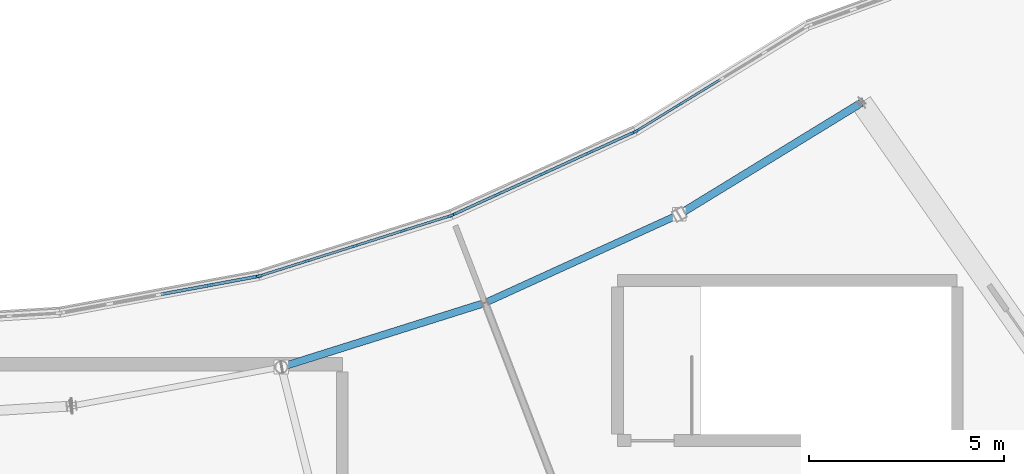
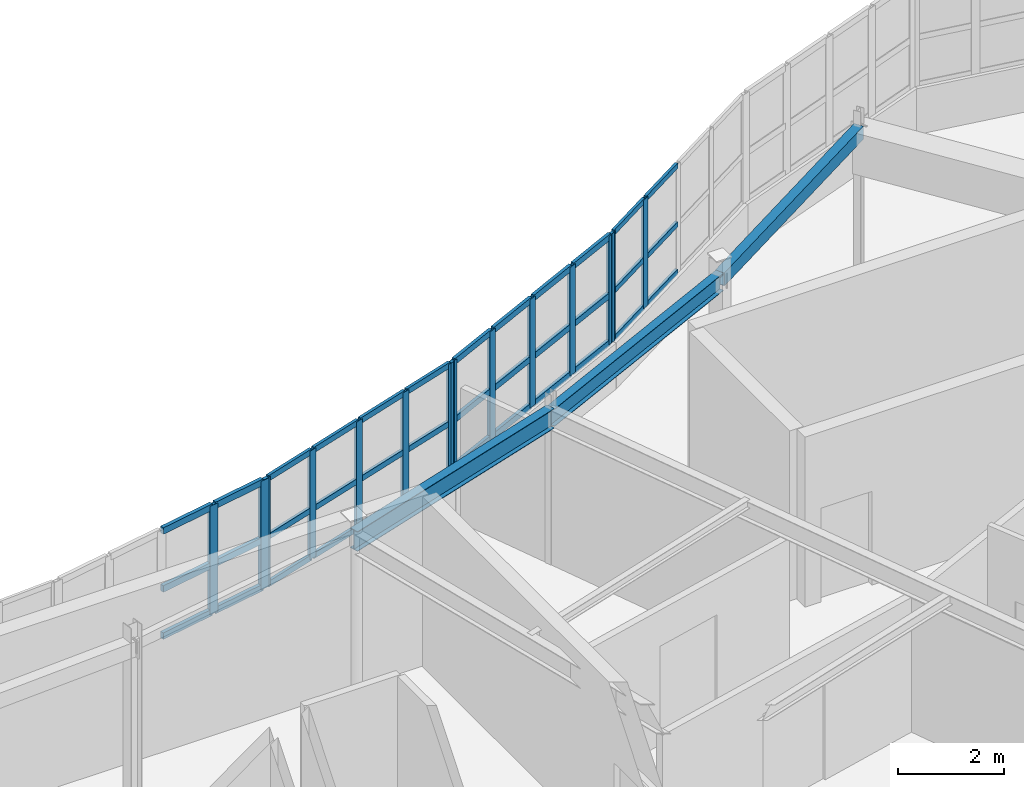
# One storey, part 27 of 79: 50 members, 3 beams, 4 elements without a shape of their own.
"""IFC4 building model written with IfcOpenShell, lengths in metres."""

from ifc_helpers import new_model, si_unit, direction, frame, origin, origin_2d, place, context, subcontext, project, spatial, rectangle, hollow_rectangle, i_section, extrude, material, layer, layer_set, material_profile, profile_set, type_object, element, aggregate, save


model = new_model("IFC4")

# Units and contexts
model_context = context("Model", 3, precision=1e-05, world=origin(), true_north=direction((0.0, 1.0)))
body_context = subcontext(model_context, "Body", "Model", "MODEL_VIEW")
ifc_project = project(units=[si_unit("LENGTHUNIT", "METRE"), si_unit("AREAUNIT", "SQUARE_METRE"), si_unit("VOLUMEUNIT", "CUBIC_METRE"), si_unit("PLANEANGLEUNIT", "RADIAN"), si_unit("MASSUNIT", "GRAM", prefix="KILO")], contexts=[model_context])

# Site, building, storey
site_placement = place(None, origin())
site = spatial("IfcSite", under=ifc_project, at=site_placement, CompositionType="ELEMENT")
building_placement = place(site_placement, origin())
building = spatial("IfcBuilding", under=site, at=building_placement, Name="Tarnwether General Hospital", CompositionType="ELEMENT")
storey_placement = place(building_placement, frame((0.0, 0.0, 18.300048828125)))
storey = spatial("IfcBuildingStorey", under=building, at=storey_placement, Name="L04", CompositionType="ELEMENT", Elevation=18.300048828125)

# Beams
ifc_material_1 = material(Name="Steel Grade 350 (350 MPa)", Category="steel")
ifc_material_profile_1 = material_profile(ifc_material_1, i_section(OverallWidth=0.18994140625, OverallDepth=0.4541015625, WebThickness=0.008544921875, FlangeThickness=0.0126953125, at=origin_2d()), Name="460UB67.1")
ifc_profile_set_1 = profile_set([ifc_material_profile_1], Name="Steel Grade 350 (350 MPa)")
beam_type_1 = type_object("IfcBeamType", Name="BM-SP1", PredefinedType="SPANDREL", material=ifc_profile_set_1)
beam_1_placement = place(storey_placement, frame((102.837890625, 19.531005859375, 3.3330078125), z_axis=(0.953712084488, 0.300721232874, 0.0), x_axis=(-0.300721232874, 0.953712084488, 0.0)))
element("IfcBeam", 1, at=beam_1_placement, inside=storey, type_object=beam_type_1, Name="Curved Ward SE Inner Spandrel BMG-L04-10284_1953-10806_2118-2157", PredefinedType="SPANDREL", context=body_context, shape_type="SweptSolid", body=[
    extrude(i_section(OverallWidth=0.18994140625, OverallDepth=0.4541015625, WebThickness=0.008544921875, FlangeThickness=0.0126953125, at=origin_2d()), origin(), (0.0, 0.0, 1.0), 5.47021484375),
])
ifc_material_2 = material(Name="Steel Grade 350 (350 MPa)", Category="steel")
ifc_material_profile_2 = material_profile(ifc_material_2, i_section(OverallWidth=0.177978515625, OverallDepth=0.403076171875, WebThickness=0.007568359375, FlangeThickness=0.010986328125, at=origin_2d()), Name="410UB53.7")
ifc_profile_set_2 = profile_set([ifc_material_profile_2], Name="Steel Grade 350 (350 MPa)")
beam_type_2 = type_object("IfcBeamType", Name="BM-SP2", PredefinedType="SPANDREL", material=ifc_profile_set_2)
beam_2_placement = place(storey_placement, frame((108.054931640625, 21.176025390625, 3.33837890625), z_axis=(0.909968605358, 0.414677148228, 0.0), x_axis=(-0.414677148228, 0.909968605358, 0.0)))
element("IfcBeam", 2, at=beam_2_placement, inside=storey, type_object=beam_type_2, Name="Curved Ward SE Inner Spandrel BMG-L04-10806_2118-11303_2344-2161", PredefinedType="SPANDREL", context=body_context, shape_type="SweptSolid", body=[
    extrude(i_section(OverallWidth=0.177978515625, OverallDepth=0.403076171875, WebThickness=0.007568359375, FlangeThickness=0.010986328125, at=origin_2d()), origin(), (0.0, 0.0, 1.0), 5.469482421875),
])
ifc_material_3 = material(Name="Steel Grade C350L0 (350 MPa)", Category="steel")
ifc_material_profile_3 = material_profile(ifc_material_3, hollow_rectangle(XDim=0.199951171875, YDim=0.300048828125, WallThickness=0.012451171875, at=origin_2d()), Name="RHS300x200x12.5")
ifc_profile_set_3 = profile_set([ifc_material_profile_3], Name="Steel Grade C350L0 (350 MPa)")
beam_type_3 = type_object("IfcBeamType", Name="BM-SP3", PredefinedType="SPANDREL", material=ifc_profile_set_3)
beam_3_placement = place(storey_placement, frame((113.031982421875, 23.444091796875, 3.389892578125), z_axis=(0.85265897909, 0.522467860617, 0.0), x_axis=(-0.522467860617, 0.85265897909, 0.0)))
element("IfcBeam", 3, at=beam_3_placement, inside=storey, type_object=beam_type_3, Name="Curved Ward SE Inner Spandrel BMG-L04-11303_2344-11770_2630-2163", PredefinedType="SPANDREL", context=body_context, shape_type="SweptSolid", body=[
    extrude(hollow_rectangle(XDim=0.199951171875, YDim=0.300048828125, WallThickness=0.012451171875, at=origin_2d()), origin(), (0.0, 0.0, 1.0), 5.469970703125),
])

# Curtain wall, members
ifc_material_4 = material(Name="Anodised aluminium", Category="aluminium")
ifc_layer = layer(ifc_material_4, 0.159912109375)
ifc_layer_set = layer_set([ifc_layer], Name="Anodised aluminium")
curtain_wall_type = type_object("IfcCurtainWallType", Name="CW-03", PredefinedType="NOTDEFINED", material=ifc_layer_set)
curtain_wall_1_placement = place(storey_placement, origin())
curtain_wall_1 = element("IfcCurtainWall", 4, at=curtain_wall_1_placement, inside=storey, type_object=curtain_wall_type, Name="Curtain Wall CWG-L04-1119_256-0202", PredefinedType="NOTDEFINED")
ifc_material_5 = material(Name="Anodised aluminium", Category="aluminium")
ifc_material_profile_4 = material_profile(ifc_material_5, rectangle(XDim=0.06005859375, YDim=0.159912109375, at=origin_2d()), Name="ALU-MUL-60x160")
ifc_profile_set_4 = profile_set([ifc_material_profile_4], Name="Anodised aluminium")
member_type_1 = type_object("IfcMemberType", Name="CW-ML1", PredefinedType="MULLION", material=ifc_profile_set_4)
member_1_placement = place(storey_placement, frame((111.931640625, 25.57861328125, 1.050048828125), z_axis=(0.0, 0.0, 1.0), x_axis=(-0.522512231483, 0.852631789198, 0.0)))
member_1 = element("IfcMember", 5, at=member_1_placement, type_object=member_type_1, Name="CW-03 mullion 1", PredefinedType="MULLION", context=body_context, shape_type="SweptSolid", body=[
    extrude(rectangle(XDim=0.06005859375, YDim=0.159912109375, at=origin_2d()), origin(), (0.0, 0.0, 1.0), 2.489990234375),
])
member_2_placement = place(storey_placement, frame((113.009521484375, 26.2392578125, 1.050048828125), z_axis=(0.0, 0.0, 1.0), x_axis=(-0.522512231483, 0.852631789198, 0.0)))
member_2 = element("IfcMember", 6, at=member_2_placement, type_object=member_type_1, Name="CW-03 mullion 2", PredefinedType="MULLION", context=body_context, shape_type="SweptSolid", body=[
    extrude(rectangle(XDim=0.06005859375, YDim=0.159912109375, at=origin_2d()), origin(), (0.0, 0.0, 1.0), 2.489990234375),
])

curtain_wall_2_placement = place(storey_placement, origin())
curtain_wall_2 = element("IfcCurtainWall", 7, at=curtain_wall_2_placement, inside=storey, type_object=curtain_wall_type, Name="Curtain Wall CWG-L04-1072_234-0203", PredefinedType="NOTDEFINED")
ifc_material_6 = material(Name="Anodised aluminium", Category="aluminium")
ifc_material_profile_5 = material_profile(ifc_material_6, rectangle(XDim=0.070068359375, YDim=0.179931640625, at=origin_2d()), Name="ALU-MUL-70x180")
ifc_profile_set_5 = profile_set([ifc_material_profile_5], Name="Anodised aluminium")
member_type_2 = type_object("IfcMemberType", Name="CW-ML2", PredefinedType="MULLION", material=ifc_profile_set_5)
member_3_placement = place(storey_placement, frame((107.226806640625, 23.430419921875, 1.050048828125), z_axis=(0.0, 0.0, 1.0), x_axis=(-0.41470501572, 0.90995590549, 0.0)))
member_3 = element("IfcMember", 8, at=member_3_placement, type_object=member_type_2, Name="CW-03 mullion 1", PredefinedType="MULLION", context=body_context, shape_type="SweptSolid", body=[
    extrude(rectangle(XDim=0.070068359375, YDim=0.179931640625, at=origin_2d()), origin(), (0.0, 0.0, 1.0), 2.489990234375),
])
member_4_placement = place(storey_placement, frame((108.372802734375, 23.95263671875, 1.050048828125), z_axis=(0.0, 0.0, 1.0), x_axis=(-0.41470501572, 0.90995590549, 0.0)))
member_4 = element("IfcMember", 9, at=member_4_placement, type_object=member_type_2, Name="CW-03 mullion 2", PredefinedType="MULLION", context=body_context, shape_type="SweptSolid", body=[
    extrude(rectangle(XDim=0.070068359375, YDim=0.179931640625, at=origin_2d()), origin(), (0.0, 0.0, 1.0), 2.489990234375),
])
member_5_placement = place(storey_placement, frame((109.550537109375, 24.489501953125, 1.050048828125), z_axis=(0.0, 0.0, 1.0), x_axis=(-0.41470501572, 0.90995590549, 0.0)))
member_5 = element("IfcMember", 10, at=member_5_placement, type_object=member_type_2, Name="CW-03 mullion 3", PredefinedType="MULLION", context=body_context, shape_type="SweptSolid", body=[
    extrude(rectangle(XDim=0.070068359375, YDim=0.179931640625, at=origin_2d()), origin(), (0.0, 0.0, 1.0), 2.489990234375),
])
member_6_placement = place(storey_placement, frame((110.728271484375, 25.0263671875, 1.050048828125), z_axis=(0.0, 0.0, 1.0), x_axis=(-0.41470501572, 0.90995590549, 0.0)))
member_6 = element("IfcMember", 11, at=member_6_placement, type_object=member_type_2, Name="CW-03 mullion 4", PredefinedType="MULLION", context=body_context, shape_type="SweptSolid", body=[
    extrude(rectangle(XDim=0.070068359375, YDim=0.179931640625, at=origin_2d()), origin(), (0.0, 0.0, 1.0), 2.489990234375),
])
member_7_placement = place(storey_placement, frame((111.874267578125, 25.548583984375, 1.050048828125), z_axis=(0.0, 0.0, 1.0), x_axis=(-0.41470501572, 0.90995590549, 0.0)))
member_7 = element("IfcMember", 12, at=member_7_placement, type_object=member_type_2, Name="CW-03 mullion 5", PredefinedType="MULLION", context=body_context, shape_type="SweptSolid", body=[
    extrude(rectangle(XDim=0.070068359375, YDim=0.179931640625, at=origin_2d()), origin(), (0.0, 0.0, 1.0), 2.489990234375),
])

curtain_wall_3_placement = place(storey_placement, origin())
curtain_wall_3 = element("IfcCurtainWall", 13, at=curtain_wall_3_placement, inside=storey, type_object=curtain_wall_type, Name="Curtain Wall CWG-L04-1023_219-0204", PredefinedType="NOTDEFINED")
ifc_material_7 = material(Name="Anodised aluminium", Category="aluminium")
ifc_material_profile_6 = material_profile(ifc_material_7, rectangle(XDim=0.06494140625, YDim=0.169921875, at=origin_2d()), Name="ALU-MUL-65x170")
ifc_profile_set_6 = profile_set([ifc_material_profile_6], Name="Anodised aluminium")
member_type_3 = type_object("IfcMemberType", Name="CW-ML3", PredefinedType="MULLION", material=ifc_profile_set_6)
member_8_placement = place(storey_placement, frame((102.2880859375, 21.86865234375, 1.050048828125), z_axis=(0.0, 0.0, 1.0), x_axis=(-0.30071538783, 0.953713927508, 0.0)))
member_8 = element("IfcMember", 14, at=member_8_placement, type_object=member_type_3, Name="CW-03 mullion 1", PredefinedType="MULLION", context=body_context, shape_type="SweptSolid", body=[
    extrude(rectangle(XDim=0.06494140625, YDim=0.169921875, at=origin_2d()), origin(), (0.0, 0.0, 1.0), 2.489990234375),
])
member_9_placement = place(storey_placement, frame((103.491455078125, 22.248291015625, 1.050048828125), z_axis=(0.0, 0.0, 1.0), x_axis=(-0.30071538783, 0.953713927508, 0.0)))
member_9 = element("IfcMember", 15, at=member_9_placement, type_object=member_type_3, Name="CW-03 mullion 2", PredefinedType="MULLION", context=body_context, shape_type="SweptSolid", body=[
    extrude(rectangle(XDim=0.06494140625, YDim=0.169921875, at=origin_2d()), origin(), (0.0, 0.0, 1.0), 2.489990234375),
])
member_10_placement = place(storey_placement, frame((104.72607421875, 22.637451171875, 1.050048828125), z_axis=(0.0, 0.0, 1.0), x_axis=(-0.30071538783, 0.953713927508, 0.0)))
member_10 = element("IfcMember", 16, at=member_10_placement, type_object=member_type_3, Name="CW-03 mullion 3", PredefinedType="MULLION", context=body_context, shape_type="SweptSolid", body=[
    extrude(rectangle(XDim=0.06494140625, YDim=0.169921875, at=origin_2d()), origin(), (0.0, 0.0, 1.0), 2.489990234375),
])
member_11_placement = place(storey_placement, frame((105.96044921875, 23.02685546875, 1.050048828125), z_axis=(0.0, 0.0, 1.0), x_axis=(-0.30071538783, 0.953713927508, 0.0)))
member_11 = element("IfcMember", 17, at=member_11_placement, type_object=member_type_3, Name="CW-03 mullion 4", PredefinedType="MULLION", context=body_context, shape_type="SweptSolid", body=[
    extrude(rectangle(XDim=0.06494140625, YDim=0.169921875, at=origin_2d()), origin(), (0.0, 0.0, 1.0), 2.489990234375),
])
member_12_placement = place(storey_placement, frame((107.1640625, 23.40625, 1.050048828125), z_axis=(0.0, 0.0, 1.0), x_axis=(-0.30071538783, 0.953713927508, 0.0)))
member_12 = element("IfcMember", 18, at=member_12_placement, type_object=member_type_3, Name="CW-03 mullion 5", PredefinedType="MULLION", context=body_context, shape_type="SweptSolid", body=[
    extrude(rectangle(XDim=0.06494140625, YDim=0.169921875, at=origin_2d()), origin(), (0.0, 0.0, 1.0), 2.489990234375),
])

curtain_wall_4_placement = place(storey_placement, origin())
curtain_wall_4 = element("IfcCurtainWall", 19, at=curtain_wall_4_placement, inside=storey, type_object=curtain_wall_type, Name="Curtain Wall CWG-L04-972_209-0205", PredefinedType="NOTDEFINED")
ifc_material_8 = material(Name="Anodised aluminium", Category="aluminium")
ifc_material_profile_7 = material_profile(ifc_material_8, rectangle(XDim=0.080078125, YDim=0.199951171875, at=origin_2d()), Name="ALU-MUL-80x200")
ifc_profile_set_7 = profile_set([ifc_material_profile_7], Name="Anodised aluminium")
member_type_4 = type_object("IfcMemberType", Name="CW-ML4", PredefinedType="MULLION", material=ifc_profile_set_7)
member_13_placement = place(storey_placement, frame((100.984619140625, 21.623291015625, 1.050048828125), z_axis=(0.0, 0.0, 1.0), x_axis=(-0.182165351666, 0.983267910924, 0.0)))
member_13 = element("IfcMember", 20, at=member_13_placement, type_object=member_type_4, Name="CW-03 mullion 4", PredefinedType="MULLION", context=body_context, shape_type="SweptSolid", body=[
    extrude(rectangle(XDim=0.080078125, YDim=0.199951171875, at=origin_2d()), origin(), (0.0, 0.0, 1.0), 2.489990234375),
])
member_14_placement = place(storey_placement, frame((102.2177734375, 21.851806640625, 1.050048828125), z_axis=(0.0, 0.0, 1.0), x_axis=(-0.182165351666, 0.983267910924, 0.0)))
member_14 = element("IfcMember", 21, at=member_14_placement, type_object=member_type_4, Name="CW-03 mullion 5", PredefinedType="MULLION", context=body_context, shape_type="SweptSolid", body=[
    extrude(rectangle(XDim=0.080078125, YDim=0.199951171875, at=origin_2d()), origin(), (0.0, 0.0, 1.0), 2.489990234375),
])

# Member
ifc_material_9 = material(Name="Anodised aluminium", Category="aluminium")
ifc_material_profile_8 = material_profile(ifc_material_9, rectangle(XDim=0.06005859375, YDim=0.1201171875, at=origin_2d()), Name="ALU-TRN-60x120")
ifc_profile_set_8 = profile_set([ifc_material_profile_8], Name="Anodised aluminium")
member_type_5 = type_object("IfcMemberType", Name="CW-TR1", PredefinedType="USERDEFINED", material=ifc_profile_set_8)
member_15_placement = place(storey_placement, frame((111.957275390625, 25.59423828125, 1.079833984375), z_axis=(0.852534226729, 0.522671399883, 0.0), x_axis=(-0.522671399883, 0.852534226729, 0.0)))
member_15 = element("IfcMember", 22, at=member_15_placement, type_object=member_type_5, Name="CW-03 transom 1.1", ObjectType="TRANSOM", PredefinedType="USERDEFINED", context=body_context, shape_type="SweptSolid", body=[
    extrude(rectangle(XDim=0.06005859375, YDim=0.1201171875, at=origin_2d()), origin(), (0.0, 0.0, 1.0), 1.2041015625),
])

member_16_placement = place(storey_placement, frame((111.957275390625, 25.59423828125, 2.17041015625), z_axis=(0.852534226729, 0.522671399883, 0.0), x_axis=(-0.522671399883, 0.852534226729, 0.0)))
member_16 = element("IfcMember", 23, at=member_16_placement, type_object=member_type_5, Name="CW-03 transom 1.2", ObjectType="TRANSOM", PredefinedType="USERDEFINED", context=body_context, shape_type="SweptSolid", body=[
    extrude(rectangle(XDim=0.06005859375, YDim=0.1201171875, at=origin_2d()), origin(), (0.0, 0.0, 1.0), 1.2041015625),
])

member_17_placement = place(storey_placement, frame((111.957275390625, 25.59423828125, 3.510009765625), z_axis=(0.852534226729, 0.522671399883, 0.0), x_axis=(-0.522671399883, 0.852534226729, 0.0)))
member_17 = element("IfcMember", 24, at=member_17_placement, type_object=member_type_5, Name="CW-03 transom 1.3", ObjectType="TRANSOM", PredefinedType="USERDEFINED", context=body_context, shape_type="SweptSolid", body=[
    extrude(rectangle(XDim=0.06005859375, YDim=0.1201171875, at=origin_2d()), origin(), (0.0, 0.0, 1.0), 1.2041015625),
])

member_18_placement = place(storey_placement, frame((113.03515625, 26.2548828125, 1.079833984375), z_axis=(0.852567134861, 0.522617719328, 0.0), x_axis=(-0.522617719328, 0.852567134861, 0.0)))
member_18 = element("IfcMember", 25, at=member_18_placement, type_object=member_type_5, Name="CW-03 transom 2.1", ObjectType="TRANSOM", PredefinedType="USERDEFINED", context=body_context, shape_type="SweptSolid", body=[
    extrude(rectangle(XDim=0.06005859375, YDim=0.1201171875, at=origin_2d()), origin(), (0.0, 0.0, 1.0), 1.234130859375),
])

member_19_placement = place(storey_placement, frame((113.03515625, 26.2548828125, 2.17041015625), z_axis=(0.852567134861, 0.522617719328, 0.0), x_axis=(-0.522617719328, 0.852567134861, 0.0)))
member_19 = element("IfcMember", 26, at=member_19_placement, type_object=member_type_5, Name="CW-03 transom 2.2", ObjectType="TRANSOM", PredefinedType="USERDEFINED", context=body_context, shape_type="SweptSolid", body=[
    extrude(rectangle(XDim=0.06005859375, YDim=0.1201171875, at=origin_2d()), origin(), (0.0, 0.0, 1.0), 1.234130859375),
])

member_20_placement = place(storey_placement, frame((113.03515625, 26.2548828125, 3.510009765625), z_axis=(0.852567134861, 0.522617719328, 0.0), x_axis=(-0.522617719328, 0.852567134861, 0.0)))
member_20 = element("IfcMember", 27, at=member_20_placement, type_object=member_type_5, Name="CW-03 transom 2.3", ObjectType="TRANSOM", PredefinedType="USERDEFINED", context=body_context, shape_type="SweptSolid", body=[
    extrude(rectangle(XDim=0.06005859375, YDim=0.1201171875, at=origin_2d()), origin(), (0.0, 0.0, 1.0), 1.234130859375),
])

aggregate(curtain_wall_1, [member_1, member_2, member_15, member_16, member_17, member_18, member_19, member_20])

ifc_material_10 = material(Name="Anodised aluminium", Category="aluminium")
ifc_material_profile_9 = material_profile(ifc_material_10, rectangle(XDim=0.070068359375, YDim=0.139892578125, at=origin_2d()), Name="ALU-TRN-70x140")
ifc_profile_set_9 = profile_set([ifc_material_profile_9], Name="Anodised aluminium")
member_type_6 = type_object("IfcMemberType", Name="CW-TR2", PredefinedType="USERDEFINED", material=ifc_profile_set_9)
member_21_placement = place(storey_placement, frame((107.2587890625, 23.445068359375, 1.0849609375), z_axis=(0.909944129752, 0.414730853362, 0.0), x_axis=(-0.414730853362, 0.909944129752, 0.0)))
member_21 = element("IfcMember", 28, at=member_21_placement, type_object=member_type_6, Name="CW-03 transom 1.1", ObjectType="TRANSOM", PredefinedType="USERDEFINED", context=body_context, shape_type="SweptSolid", body=[
    extrude(rectangle(XDim=0.070068359375, YDim=0.139892578125, at=origin_2d()), origin(), (0.0, 0.0, 1.0), 1.189208984375),
])

member_22_placement = place(storey_placement, frame((107.2587890625, 23.445068359375, 2.17041015625), z_axis=(0.909944129752, 0.414730853362, 0.0), x_axis=(-0.414730853362, 0.909944129752, 0.0)))
member_22 = element("IfcMember", 29, at=member_22_placement, type_object=member_type_6, Name="CW-03 transom 1.2", ObjectType="TRANSOM", PredefinedType="USERDEFINED", context=body_context, shape_type="SweptSolid", body=[
    extrude(rectangle(XDim=0.070068359375, YDim=0.139892578125, at=origin_2d()), origin(), (0.0, 0.0, 1.0), 1.189208984375),
])

member_23_placement = place(storey_placement, frame((107.2587890625, 23.445068359375, 3.5048828125), z_axis=(0.909944129752, 0.414730853362, 0.0), x_axis=(-0.414730853362, 0.909944129752, 0.0)))
member_23 = element("IfcMember", 30, at=member_23_placement, type_object=member_type_6, Name="CW-03 transom 1.3", ObjectType="TRANSOM", PredefinedType="USERDEFINED", context=body_context, shape_type="SweptSolid", body=[
    extrude(rectangle(XDim=0.070068359375, YDim=0.139892578125, at=origin_2d()), origin(), (0.0, 0.0, 1.0), 1.189208984375),
])

member_24_placement = place(storey_placement, frame((108.404541015625, 23.96728515625, 1.0849609375), z_axis=(0.909922054597, 0.414779284147, 0.0), x_axis=(-0.414779284147, 0.909922054597, 0.0)))
member_24 = element("IfcMember", 31, at=member_24_placement, type_object=member_type_6, Name="CW-03 transom 2.1", ObjectType="TRANSOM", PredefinedType="USERDEFINED", context=body_context, shape_type="SweptSolid", body=[
    extrude(rectangle(XDim=0.070068359375, YDim=0.139892578125, at=origin_2d()), origin(), (0.0, 0.0, 1.0), 1.224365234375),
])

member_25_placement = place(storey_placement, frame((108.404541015625, 23.96728515625, 2.17041015625), z_axis=(0.909922054597, 0.414779284147, 0.0), x_axis=(-0.414779284147, 0.909922054597, 0.0)))
member_25 = element("IfcMember", 32, at=member_25_placement, type_object=member_type_6, Name="CW-03 transom 2.2", ObjectType="TRANSOM", PredefinedType="USERDEFINED", context=body_context, shape_type="SweptSolid", body=[
    extrude(rectangle(XDim=0.070068359375, YDim=0.139892578125, at=origin_2d()), origin(), (0.0, 0.0, 1.0), 1.224365234375),
])

member_26_placement = place(storey_placement, frame((108.404541015625, 23.96728515625, 3.5048828125), z_axis=(0.909922054597, 0.414779284147, 0.0), x_axis=(-0.414779284147, 0.909922054597, 0.0)))
member_26 = element("IfcMember", 33, at=member_26_placement, type_object=member_type_6, Name="CW-03 transom 2.3", ObjectType="TRANSOM", PredefinedType="USERDEFINED", context=body_context, shape_type="SweptSolid", body=[
    extrude(rectangle(XDim=0.070068359375, YDim=0.139892578125, at=origin_2d()), origin(), (0.0, 0.0, 1.0), 1.224365234375),
])

member_27_placement = place(storey_placement, frame((109.582275390625, 24.50390625, 1.0849609375), z_axis=(0.909922054597, 0.414779284147, 0.0), x_axis=(-0.414779284147, 0.909922054597, 0.0)))
member_27 = element("IfcMember", 34, at=member_27_placement, type_object=member_type_6, Name="CW-03 transom 3.1", ObjectType="TRANSOM", PredefinedType="USERDEFINED", context=body_context, shape_type="SweptSolid", body=[
    extrude(rectangle(XDim=0.070068359375, YDim=0.139892578125, at=origin_2d()), origin(), (0.0, 0.0, 1.0), 1.224365234375),
])

member_28_placement = place(storey_placement, frame((109.582275390625, 24.50390625, 2.17041015625), z_axis=(0.909922054597, 0.414779284147, 0.0), x_axis=(-0.414779284147, 0.909922054597, 0.0)))
member_28 = element("IfcMember", 35, at=member_28_placement, type_object=member_type_6, Name="CW-03 transom 3.2", ObjectType="TRANSOM", PredefinedType="USERDEFINED", context=body_context, shape_type="SweptSolid", body=[
    extrude(rectangle(XDim=0.070068359375, YDim=0.139892578125, at=origin_2d()), origin(), (0.0, 0.0, 1.0), 1.224365234375),
])

member_29_placement = place(storey_placement, frame((109.582275390625, 24.50390625, 3.5048828125), z_axis=(0.909922054597, 0.414779284147, 0.0), x_axis=(-0.414779284147, 0.909922054597, 0.0)))
member_29 = element("IfcMember", 36, at=member_29_placement, type_object=member_type_6, Name="CW-03 transom 3.3", ObjectType="TRANSOM", PredefinedType="USERDEFINED", context=body_context, shape_type="SweptSolid", body=[
    extrude(rectangle(XDim=0.070068359375, YDim=0.139892578125, at=origin_2d()), origin(), (0.0, 0.0, 1.0), 1.224365234375),
])

member_30_placement = place(storey_placement, frame((110.760009765625, 25.040771484375, 1.0849609375), z_axis=(0.909979433919, 0.414653385183, 0.0), x_axis=(-0.414653385183, 0.909979433919, 0.0)))
member_30 = element("IfcMember", 37, at=member_30_placement, type_object=member_type_6, Name="CW-03 transom 4.1", ObjectType="TRANSOM", PredefinedType="USERDEFINED", context=body_context, shape_type="SweptSolid", body=[
    extrude(rectangle(XDim=0.070068359375, YDim=0.139892578125, at=origin_2d()), origin(), (0.0, 0.0, 1.0), 1.189453125),
])

member_31_placement = place(storey_placement, frame((110.760009765625, 25.040771484375, 2.17041015625), z_axis=(0.909979433919, 0.414653385183, 0.0), x_axis=(-0.414653385183, 0.909979433919, 0.0)))
member_31 = element("IfcMember", 38, at=member_31_placement, type_object=member_type_6, Name="CW-03 transom 4.2", ObjectType="TRANSOM", PredefinedType="USERDEFINED", context=body_context, shape_type="SweptSolid", body=[
    extrude(rectangle(XDim=0.070068359375, YDim=0.139892578125, at=origin_2d()), origin(), (0.0, 0.0, 1.0), 1.189453125),
])

member_32_placement = place(storey_placement, frame((110.760009765625, 25.040771484375, 3.5048828125), z_axis=(0.909979433919, 0.414653385183, 0.0), x_axis=(-0.414653385183, 0.909979433919, 0.0)))
member_32 = element("IfcMember", 39, at=member_32_placement, type_object=member_type_6, Name="CW-03 transom 4.3", ObjectType="TRANSOM", PredefinedType="USERDEFINED", context=body_context, shape_type="SweptSolid", body=[
    extrude(rectangle(XDim=0.070068359375, YDim=0.139892578125, at=origin_2d()), origin(), (0.0, 0.0, 1.0), 1.189453125),
])

aggregate(curtain_wall_2, [member_3, member_4, member_5, member_6, member_7, member_21, member_22, member_23, member_24, member_25, member_26, member_27, member_28, member_29, member_30, member_31, member_32])

ifc_material_11 = material(Name="Anodised aluminium", Category="aluminium")
ifc_material_profile_10 = material_profile(ifc_material_11, rectangle(XDim=0.06494140625, YDim=0.1298828125, at=origin_2d()), Name="ALU-TRN-65x130")
ifc_profile_set_10 = profile_set([ifc_material_profile_10], Name="Anodised aluminium")
member_type_7 = type_object("IfcMemberType", Name="CW-TR3", PredefinedType="USERDEFINED", material=ifc_profile_set_10)
member_33_placement = place(storey_placement, frame((102.319091796875, 21.878662109375, 1.08251953125), z_axis=(0.953718228392, 0.300701747305, 0.0), x_axis=(-0.300701747305, 0.953718228392, 0.0)))
member_33 = element("IfcMember", 40, at=member_33_placement, type_object=member_type_7, Name="CW-03 transom 1.1", ObjectType="TRANSOM", PredefinedType="USERDEFINED", context=body_context, shape_type="SweptSolid", body=[
    extrude(rectangle(XDim=0.06494140625, YDim=0.1298828125, at=origin_2d()), origin(), (0.0, 0.0, 1.0), 1.19677734375),
])

member_34_placement = place(storey_placement, frame((102.319091796875, 21.878662109375, 2.17041015625), z_axis=(0.953718228392, 0.300701747305, 0.0), x_axis=(-0.300701747305, 0.953718228392, 0.0)))
member_34 = element("IfcMember", 41, at=member_34_placement, type_object=member_type_7, Name="CW-03 transom 1.2", ObjectType="TRANSOM", PredefinedType="USERDEFINED", context=body_context, shape_type="SweptSolid", body=[
    extrude(rectangle(XDim=0.06494140625, YDim=0.1298828125, at=origin_2d()), origin(), (0.0, 0.0, 1.0), 1.19677734375),
])

member_35_placement = place(storey_placement, frame((102.319091796875, 21.878662109375, 3.507568359375), z_axis=(0.953718228392, 0.300701747305, 0.0), x_axis=(-0.300701747305, 0.953718228392, 0.0)))
member_35 = element("IfcMember", 42, at=member_35_placement, type_object=member_type_7, Name="CW-03 transom 1.3", ObjectType="TRANSOM", PredefinedType="USERDEFINED", context=body_context, shape_type="SweptSolid", body=[
    extrude(rectangle(XDim=0.06494140625, YDim=0.1298828125, at=origin_2d()), origin(), (0.0, 0.0, 1.0), 1.19677734375),
])

member_36_placement = place(storey_placement, frame((103.5224609375, 22.258056640625, 1.08251953125), z_axis=(0.953738593223, 0.300637149727, 0.0), x_axis=(-0.300637149727, 0.953738593223, 0.0)))
member_36 = element("IfcMember", 43, at=member_36_placement, type_object=member_type_7, Name="CW-03 transom 2.1", ObjectType="TRANSOM", PredefinedType="USERDEFINED", context=body_context, shape_type="SweptSolid", body=[
    extrude(rectangle(XDim=0.06494140625, YDim=0.1298828125, at=origin_2d()), origin(), (0.0, 0.0, 1.0), 1.2294921875),
])

member_37_placement = place(storey_placement, frame((103.5224609375, 22.258056640625, 2.17041015625), z_axis=(0.953738593223, 0.300637149727, 0.0), x_axis=(-0.300637149727, 0.953738593223, 0.0)))
member_37 = element("IfcMember", 44, at=member_37_placement, type_object=member_type_7, Name="CW-03 transom 2.2", ObjectType="TRANSOM", PredefinedType="USERDEFINED", context=body_context, shape_type="SweptSolid", body=[
    extrude(rectangle(XDim=0.06494140625, YDim=0.1298828125, at=origin_2d()), origin(), (0.0, 0.0, 1.0), 1.2294921875),
])

member_38_placement = place(storey_placement, frame((103.5224609375, 22.258056640625, 3.507568359375), z_axis=(0.953738593223, 0.300637149727, 0.0), x_axis=(-0.300637149727, 0.953738593223, 0.0)))
member_38 = element("IfcMember", 45, at=member_38_placement, type_object=member_type_7, Name="CW-03 transom 2.3", ObjectType="TRANSOM", PredefinedType="USERDEFINED", context=body_context, shape_type="SweptSolid", body=[
    extrude(rectangle(XDim=0.06494140625, YDim=0.1298828125, at=origin_2d()), origin(), (0.0, 0.0, 1.0), 1.2294921875),
])

member_39_placement = place(storey_placement, frame((104.757080078125, 22.647216796875, 1.08251953125), z_axis=(0.953663670259, 0.300874731454, 0.0), x_axis=(-0.300874731454, 0.953663670259, 0.0)))
member_39 = element("IfcMember", 46, at=member_39_placement, type_object=member_type_7, Name="CW-03 transom 3.1", ObjectType="TRANSOM", PredefinedType="USERDEFINED", context=body_context, shape_type="SweptSolid", body=[
    extrude(rectangle(XDim=0.06494140625, YDim=0.1298828125, at=origin_2d()), origin(), (0.0, 0.0, 1.0), 1.229248046875),
])

member_40_placement = place(storey_placement, frame((104.757080078125, 22.647216796875, 2.17041015625), z_axis=(0.953663670259, 0.300874731454, 0.0), x_axis=(-0.300874731454, 0.953663670259, 0.0)))
member_40 = element("IfcMember", 47, at=member_40_placement, type_object=member_type_7, Name="CW-03 transom 3.2", ObjectType="TRANSOM", PredefinedType="USERDEFINED", context=body_context, shape_type="SweptSolid", body=[
    extrude(rectangle(XDim=0.06494140625, YDim=0.1298828125, at=origin_2d()), origin(), (0.0, 0.0, 1.0), 1.229248046875),
])

member_41_placement = place(storey_placement, frame((104.757080078125, 22.647216796875, 3.507568359375), z_axis=(0.953663670259, 0.300874731454, 0.0), x_axis=(-0.300874731454, 0.953663670259, 0.0)))
member_41 = element("IfcMember", 48, at=member_41_placement, type_object=member_type_7, Name="CW-03 transom 3.3", ObjectType="TRANSOM", PredefinedType="USERDEFINED", context=body_context, shape_type="SweptSolid", body=[
    extrude(rectangle(XDim=0.06494140625, YDim=0.1298828125, at=origin_2d()), origin(), (0.0, 0.0, 1.0), 1.229248046875),
])

member_42_placement = place(storey_placement, frame((105.991455078125, 23.03662109375, 1.08251953125), z_axis=(0.953736669357, 0.300643252915, 0.0), x_axis=(-0.300643252915, 0.953736669357, 0.0)))
member_42 = element("IfcMember", 49, at=member_42_placement, type_object=member_type_7, Name="CW-03 transom 4.1", ObjectType="TRANSOM", PredefinedType="USERDEFINED", context=body_context, shape_type="SweptSolid", body=[
    extrude(rectangle(XDim=0.06494140625, YDim=0.1298828125, at=origin_2d()), origin(), (0.0, 0.0, 1.0), 1.197021484375),
])

member_43_placement = place(storey_placement, frame((105.991455078125, 23.03662109375, 2.17041015625), z_axis=(0.953736669357, 0.300643252915, 0.0), x_axis=(-0.300643252915, 0.953736669357, 0.0)))
member_43 = element("IfcMember", 50, at=member_43_placement, type_object=member_type_7, Name="CW-03 transom 4.2", ObjectType="TRANSOM", PredefinedType="USERDEFINED", context=body_context, shape_type="SweptSolid", body=[
    extrude(rectangle(XDim=0.06494140625, YDim=0.1298828125, at=origin_2d()), origin(), (0.0, 0.0, 1.0), 1.197021484375),
])

member_44_placement = place(storey_placement, frame((105.991455078125, 23.03662109375, 3.507568359375), z_axis=(0.953736669357, 0.300643252915, 0.0), x_axis=(-0.300643252915, 0.953736669357, 0.0)))
member_44 = element("IfcMember", 51, at=member_44_placement, type_object=member_type_7, Name="CW-03 transom 4.3", ObjectType="TRANSOM", PredefinedType="USERDEFINED", context=body_context, shape_type="SweptSolid", body=[
    extrude(rectangle(XDim=0.06494140625, YDim=0.1298828125, at=origin_2d()), origin(), (0.0, 0.0, 1.0), 1.197021484375),
])

aggregate(curtain_wall_3, [member_8, member_9, member_10, member_11, member_12, member_33, member_34, member_35, member_36, member_37, member_38, member_39, member_40, member_41, member_42, member_43, member_44])

ifc_material_12 = material(Name="Anodised aluminium", Category="aluminium")
ifc_material_profile_11 = material_profile(ifc_material_12, rectangle(XDim=0.080078125, YDim=0.14990234375, at=origin_2d()), Name="ALU-TRN-80x150")
ifc_profile_set_11 = profile_set([ifc_material_profile_11], Name="Anodised aluminium")
member_type_8 = type_object("IfcMemberType", Name="CW-TR4", PredefinedType="USERDEFINED", material=ifc_profile_set_11)
member_45_placement = place(storey_placement, frame((99.751220703125, 21.394775390625, 1.08984375), z_axis=(0.983266000374, 0.182175663873, 0.0), x_axis=(-0.182175663873, 0.983266000374, 0.0)))
member_45 = element("IfcMember", 52, at=member_45_placement, type_object=member_type_8, Name="CW-03 transom 3.1", ObjectType="TRANSOM", PredefinedType="USERDEFINED", context=body_context, shape_type="SweptSolid", body=[
    extrude(rectangle(XDim=0.080078125, YDim=0.14990234375, at=origin_2d()), origin(), (0.0, 0.0, 1.0), 1.214111328125),
])

member_46_placement = place(storey_placement, frame((99.751220703125, 21.394775390625, 2.17041015625), z_axis=(0.983266000374, 0.182175663873, 0.0), x_axis=(-0.182175663873, 0.983266000374, 0.0)))
member_46 = element("IfcMember", 53, at=member_46_placement, type_object=member_type_8, Name="CW-03 transom 3.2", ObjectType="TRANSOM", PredefinedType="USERDEFINED", context=body_context, shape_type="SweptSolid", body=[
    extrude(rectangle(XDim=0.080078125, YDim=0.14990234375, at=origin_2d()), origin(), (0.0, 0.0, 1.0), 1.214111328125),
])

member_47_placement = place(storey_placement, frame((99.751220703125, 21.394775390625, 3.5), z_axis=(0.983266000374, 0.182175663873, 0.0), x_axis=(-0.182175663873, 0.983266000374, 0.0)))
member_47 = element("IfcMember", 54, at=member_47_placement, type_object=member_type_8, Name="CW-03 transom 3.3", ObjectType="TRANSOM", PredefinedType="USERDEFINED", context=body_context, shape_type="SweptSolid", body=[
    extrude(rectangle(XDim=0.080078125, YDim=0.14990234375, at=origin_2d()), origin(), (0.0, 0.0, 1.0), 1.214111328125),
])

member_48_placement = place(storey_placement, frame((101.02392578125, 21.630615234375, 1.08984375), z_axis=(0.983265451868, 0.182178624331, 0.0), x_axis=(-0.182178624331, 0.983265451868, 0.0)))
member_48 = element("IfcMember", 55, at=member_48_placement, type_object=member_type_8, Name="CW-03 transom 4.1", ObjectType="TRANSOM", PredefinedType="USERDEFINED", context=body_context, shape_type="SweptSolid", body=[
    extrude(rectangle(XDim=0.080078125, YDim=0.14990234375, at=origin_2d()), origin(), (0.0, 0.0, 1.0), 1.173828125),
])

member_49_placement = place(storey_placement, frame((101.02392578125, 21.630615234375, 2.17041015625), z_axis=(0.983265451868, 0.182178624331, 0.0), x_axis=(-0.182178624331, 0.983265451868, 0.0)))
member_49 = element("IfcMember", 56, at=member_49_placement, type_object=member_type_8, Name="CW-03 transom 4.2", ObjectType="TRANSOM", PredefinedType="USERDEFINED", context=body_context, shape_type="SweptSolid", body=[
    extrude(rectangle(XDim=0.080078125, YDim=0.14990234375, at=origin_2d()), origin(), (0.0, 0.0, 1.0), 1.173828125),
])

member_50_placement = place(storey_placement, frame((101.02392578125, 21.630615234375, 3.5), z_axis=(0.983265451868, 0.182178624331, 0.0), x_axis=(-0.182178624331, 0.983265451868, 0.0)))
member_50 = element("IfcMember", 57, at=member_50_placement, type_object=member_type_8, Name="CW-03 transom 4.3", ObjectType="TRANSOM", PredefinedType="USERDEFINED", context=body_context, shape_type="SweptSolid", body=[
    extrude(rectangle(XDim=0.080078125, YDim=0.14990234375, at=origin_2d()), origin(), (0.0, 0.0, 1.0), 1.173828125),
])

aggregate(curtain_wall_4, [member_13, member_14, member_45, member_46, member_47, member_48, member_49, member_50])

save(model, "model.ifc")
